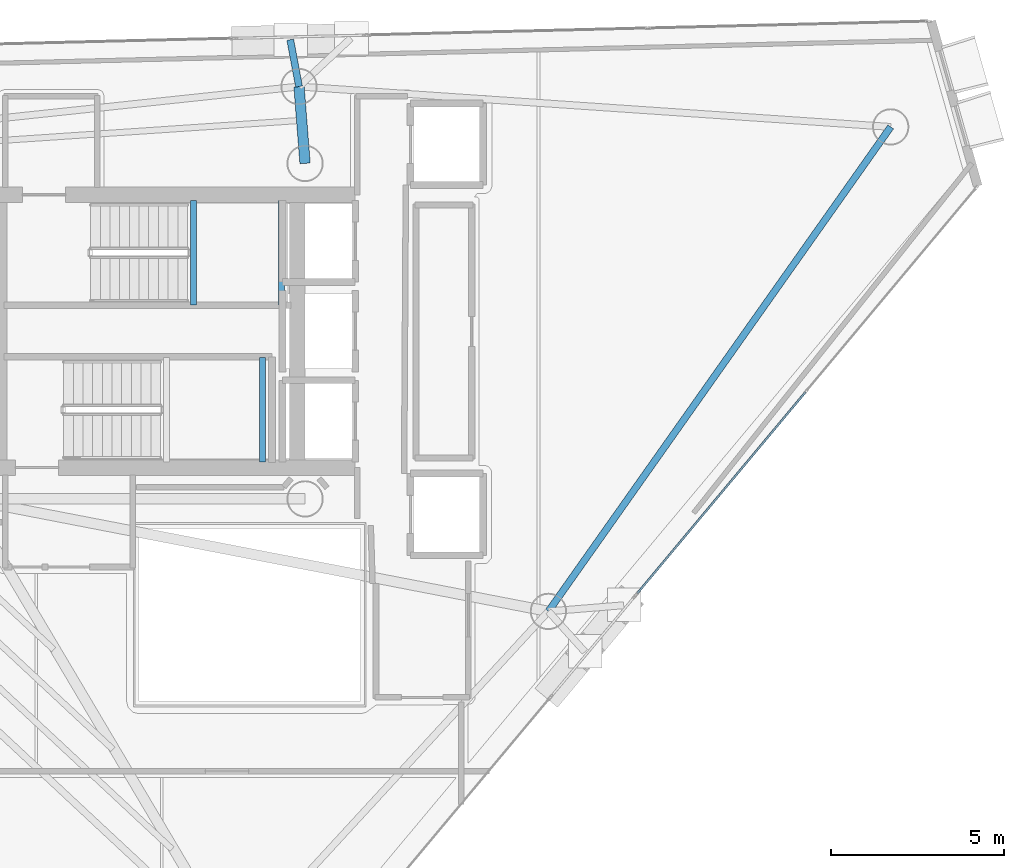
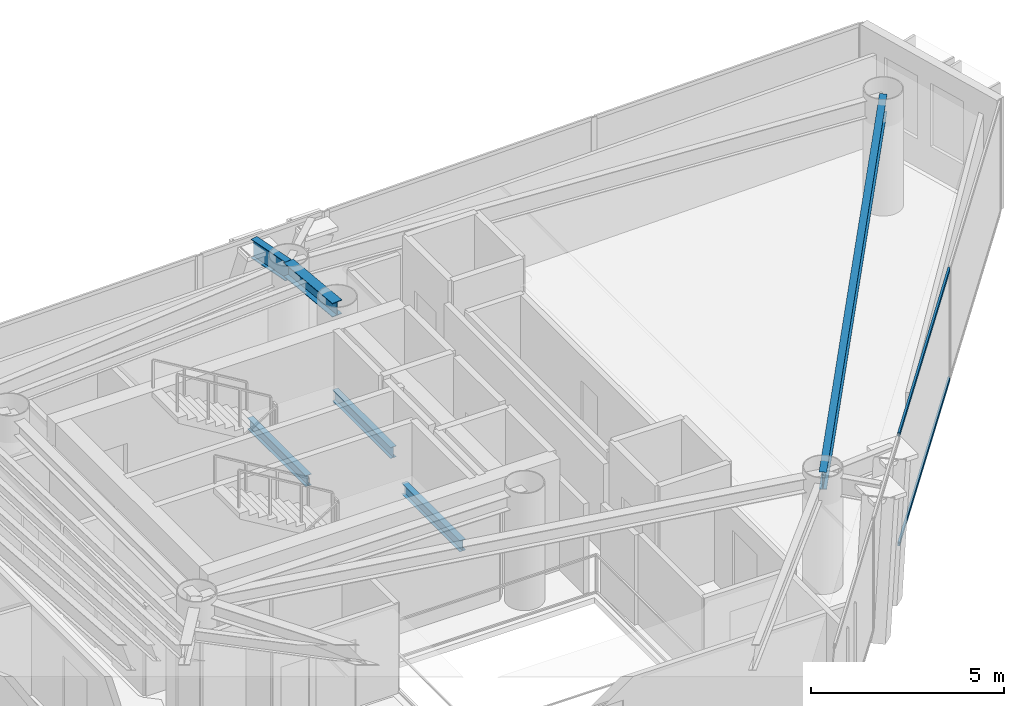
# One storey, part 10 of 20: 6 beams, 2 members, 1 element without a shape of its own.
"""IFC4 building model written with IfcOpenShell, lengths in metres."""

from ifc_helpers import new_model, si_unit, direction, frame, origin, origin_2d, place, context, subcontext, project, spatial, hollow_rectangle, i_section, extrude, material, layer, layer_set, material_profile, profile_set, type_object, element, aggregate, save


model = new_model("IFC4")

# Units and contexts
model_context = context("Model", 3, precision=1e-05, world=origin(), true_north=direction((0.0, 1.0)))
body_context = subcontext(model_context, "Body", "Model", "MODEL_VIEW")
ifc_project = project(units=[si_unit("LENGTHUNIT", "METRE"), si_unit("AREAUNIT", "SQUARE_METRE"), si_unit("VOLUMEUNIT", "CUBIC_METRE"), si_unit("PLANEANGLEUNIT", "RADIAN"), si_unit("MASSUNIT", "GRAM", prefix="KILO")], contexts=[model_context])

# Site, building, storey
site_placement = place(None, origin())
site = spatial("IfcSite", under=ifc_project, at=site_placement, CompositionType="ELEMENT")
building_placement = place(site_placement, origin())
building = spatial("IfcBuilding", under=site, at=building_placement, Name="Qianvela Tower", CompositionType="ELEMENT")
storey_placement = place(building_placement, frame((0.0, 0.0, 257.5)))
storey = spatial("IfcBuildingStorey", under=building, at=storey_placement, Name="L66", CompositionType="ELEMENT", Elevation=257.5)

# Beams
ifc_material_1 = material(Name="Steel Q355B", Category="steel")
ifc_material_profile_1 = material_profile(ifc_material_1, i_section(OverallWidth=0.300048828125, OverallDepth=0.43994140625, WebThickness=0.010986328125, FlangeThickness=0.01806640625, at=origin_2d()), Name="HM440x300x11x18")
ifc_profile_set_1 = profile_set([ifc_material_profile_1], Name="Steel Q355B")
beam_type_1 = type_object("IfcBeamType", Name="BM-HM440-COLL", PredefinedType="BEAM", material=ifc_profile_set_1)
beam_1_placement = place(storey_placement, frame((38.39990234375, 33.550048828125, 3.298095703125), z_axis=(-0.078396085685, 0.996922290727, 0.0), x_axis=(-0.996922290727, -0.078396085685, 0.0)))
element("IfcBeam", 1, at=beam_1_placement, inside=storey, type_object=beam_type_1, Name="L66 Radial Primary Floor Girder 2", PredefinedType="BEAM", context=body_context, shape_type="SweptSolid", body=[
    extrude(i_section(OverallWidth=0.300048828125, OverallDepth=0.43994140625, WebThickness=0.010986328125, FlangeThickness=0.01806640625, at=origin_2d()), origin(), (0.0, 0.0, 1.0), 2.229736328125),
])
ifc_material_2 = material(Name="Steel Q355B", Category="steel")
ifc_material_profile_2 = material_profile(ifc_material_2, i_section(OverallWidth=0.175048828125, OverallDepth=0.35009765625, WebThickness=0.007080078125, FlangeThickness=0.010986328125, at=origin_2d()), Name="HN350x175x7x11")
ifc_profile_set_2 = profile_set([ifc_material_profile_2], Name="Steel Q355B")
beam_type_2 = type_object("IfcBeamType", Name="BM-HN350-JOIST", PredefinedType="JOIST", material=ifc_profile_set_2)
for number, where, z_axis, x_axis, name in (
    (2, (35.179931640625, 29.4599609375, 1.47509765625), (0.0, 1.0, 0.0), (-1.0, 0.0, 0.0), "L66 Stair ST-1 Landing Support Beam 1.1"),
    (3, (37.719970703125, 29.4599609375, 1.47509765625), (0.0, 1.0, 0.0), (-1.0, 0.0, 0.0), "L66 Stair ST-1 Landing Support Beam 1.2"),
    (4, (37.169921875, 24.919921875, 1.47509765625), (0.0, 1.0, 0.0), (-1.0, 0.0, 0.0), "L66 Stair ST-2 Landing Support Beam 1.2"),
):
    element("IfcBeam", number, at=place(storey_placement, frame(where, z_axis=z_axis, x_axis=x_axis)), inside=storey, type_object=beam_type_2, Name=name, PredefinedType="JOIST", context=body_context, shape_type="SweptSolid", body=[
        extrude(i_section(OverallWidth=0.175048828125, OverallDepth=0.35009765625, WebThickness=0.007080078125, FlangeThickness=0.010986328125, at=origin_2d()), origin(), (0.0, 0.0, 1.0), 3.02001953125),
    ])
ifc_material_3 = material(Name="Steel Q355B", Category="steel")
ifc_material_profile_3 = material_profile(ifc_material_3, i_section(OverallWidth=0.199951171875, OverallDepth=0.550048828125, WebThickness=0.010009765625, FlangeThickness=0.01611328125, at=origin_2d()), Name="HN550x200x10x16")
ifc_profile_set_3 = profile_set([ifc_material_profile_3], Name="Steel Q355B")
beam_type_3 = type_object("IfcBeamType", Name="BM-HN550-GIRD", PredefinedType="BEAM", material=ifc_profile_set_3)
beam_2_placement = place(storey_placement, frame((45.43603515625, 20.597900390625, 3.242919921875), z_axis=(0.577019604961, 0.816730295441, 0.0), x_axis=(-0.816730295441, 0.577019604961, 0.0)))
element("IfcBeam", 5, at=beam_2_placement, inside=storey, type_object=beam_type_3, Name="L66 Perimeter Ring Spandrel Girder 6", PredefinedType="BEAM", context=body_context, shape_type="SweptSolid", body=[
    extrude(i_section(OverallWidth=0.199951171875, OverallDepth=0.550048828125, WebThickness=0.010009765625, FlangeThickness=0.01611328125, at=origin_2d()), origin(), (0.0, 0.0, 1.0), 17.150146484375),
])
ifc_material_4 = material(Name="Steel Q355B", Category="steel")
ifc_material_profile_4 = material_profile(ifc_material_4, i_section(OverallWidth=0.199951171875, OverallDepth=0.60009765625, WebThickness=0.010986328125, FlangeThickness=0.01708984375, at=origin_2d()), Name="HN600x200x11x17")
ifc_profile_set_4 = profile_set([ifc_material_profile_4], Name="Steel Q355B")
beam_type_4 = type_object("IfcBeamType", Name="BM-HN600-GIRD", PredefinedType="BEAM", material=ifc_profile_set_4)
beam_3_placement = place(storey_placement, frame((38.22509765625, 35.77294921875, 3.218017578125), z_axis=(-0.184127880059, 0.982902296154, 0.0), x_axis=(-0.982902296154, -0.184127880059, 0.0)))
element("IfcBeam", 6, at=beam_3_placement, inside=storey, type_object=beam_type_4, Name="L66 Mega-Brace Column Tie Bracket F1-2", PredefinedType="BEAM", context=body_context, shape_type="SweptSolid", body=[
    extrude(i_section(OverallWidth=0.199951171875, OverallDepth=0.60009765625, WebThickness=0.010986328125, FlangeThickness=0.01708984375, at=origin_2d()), origin(), (0.0, 0.0, 1.0), 1.376220703125),
])

# Curtain wall, members
ifc_material_5 = material(Name="Anodised Architectural Aluminium and Low-E Glass", Category="aluminium")
ifc_layer = layer(ifc_material_5, 0.159912109375)
ifc_layer_set = layer_set([ifc_layer], Name="Anodised Architectural Aluminium and Low-E Glass")
curtain_wall_type = type_object("IfcCurtainWallType", Name="CW-COLIV-Z56", PredefinedType="USERDEFINED", material=ifc_layer_set)
curtain_wall_placement = place(storey_placement, origin())
curtain_wall = element("IfcCurtainWall", 7, at=curtain_wall_placement, inside=storey, type_object=curtain_wall_type, Name="L66 CW-COLIV-Z56 Curtain Wall 06C", ObjectType="CURTAIN_WALL_SYSTEM", PredefinedType="USERDEFINED")
ifc_material_6 = material(Name="Anodised Architectural Aluminium 6063-T6", Category="aluminium")
ifc_material_profile_5 = material_profile(ifc_material_6, hollow_rectangle(XDim=0.06005859375, YDim=0.114990234375, WallThickness=0.00390625, at=origin_2d()), Name="ALU-TRAN-60x115")
ifc_profile_set_5 = profile_set([ifc_material_profile_5], Name="Anodised Architectural Aluminium 6063-T6")
member_type = type_object("IfcMemberType", Name="CW-COLIV-Z56-TRAN", PredefinedType="USERDEFINED", material=ifc_profile_set_5)
member_1_placement = place(storey_placement, frame((48.00537109375, 21.119384765625, 0.030029296875), z_axis=(0.641298254493, 0.767291697325, 0.0), x_axis=(-0.767291697325, 0.641298254493, 0.0)))
member_1 = element("IfcMember", 8, at=member_1_placement, type_object=member_type, Name="CW-5 transom 1.1", ObjectType="TRANSOM", PredefinedType="USERDEFINED", context=body_context, shape_type="SweptSolid", body=[
    extrude(hollow_rectangle(XDim=0.06005859375, YDim=0.114990234375, WallThickness=0.00390625, at=origin_2d()), origin(), (0.0, 0.0, 1.0), 7.584228515625),
])
member_2_placement = place(storey_placement, frame((48.00537109375, 21.119384765625, 3.489990234375), z_axis=(0.641298254493, 0.767291697325, 0.0), x_axis=(-0.767291697325, 0.641298254493, 0.0)))
member_2 = element("IfcMember", 9, at=member_2_placement, type_object=member_type, Name="CW-5 transom 1.2", ObjectType="TRANSOM", PredefinedType="USERDEFINED", context=body_context, shape_type="SweptSolid", body=[
    extrude(hollow_rectangle(XDim=0.06005859375, YDim=0.114990234375, WallThickness=0.00390625, at=origin_2d()), origin(), (0.0, 0.0, 1.0), 7.584228515625),
])
aggregate(curtain_wall, [member_1, member_2])

save(model, "model.ifc")
